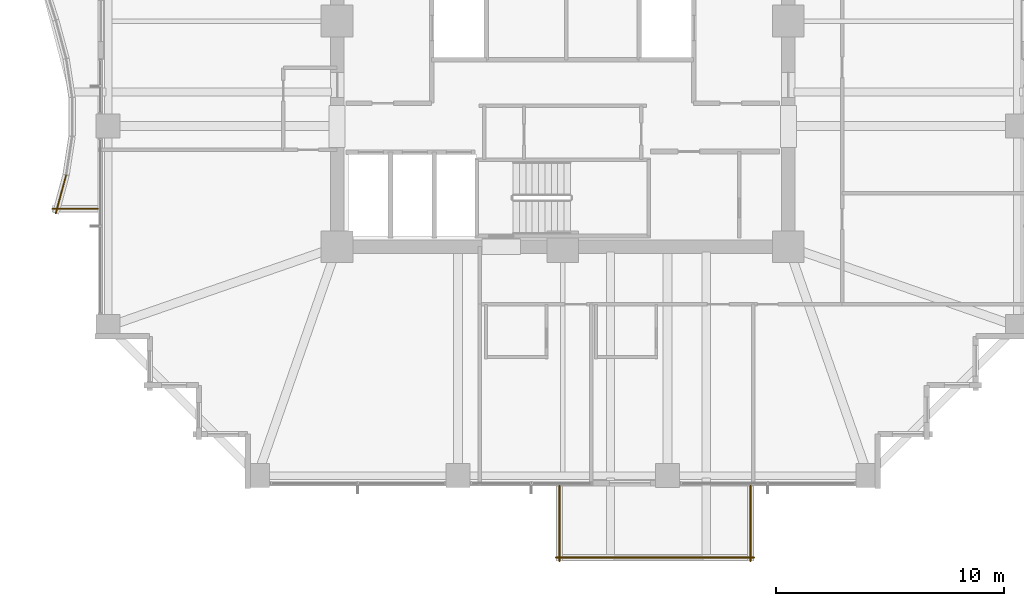
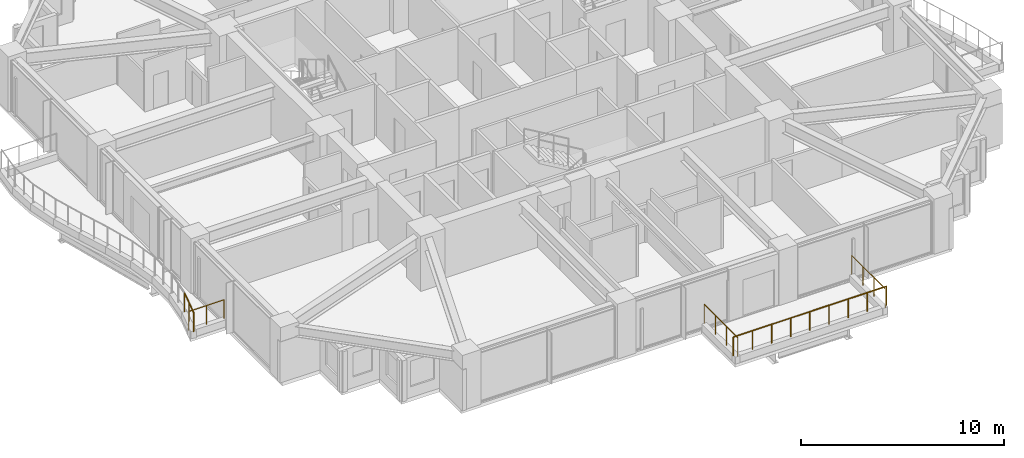
# One storey, part 36 of 38: 5 railings.
"""IFC4 building model written with IfcOpenShell, lengths in metres."""

from ifc_helpers import new_model, si_unit, direction, frame, origin, origin_2d, place, context, subcontext, project, spatial, circle, extrude, material, type_object, element, save


model = new_model("IFC4")

# Units and contexts
model_context = context("Model", 3, precision=1e-05, world=origin(), true_north=direction((0.0, 1.0)))
body_context = subcontext(model_context, "Body", "Model", "MODEL_VIEW")
ifc_project = project(units=[si_unit("LENGTHUNIT", "METRE"), si_unit("AREAUNIT", "SQUARE_METRE"), si_unit("VOLUMEUNIT", "CUBIC_METRE"), si_unit("PLANEANGLEUNIT", "RADIAN"), si_unit("MASSUNIT", "GRAM", prefix="KILO")], contexts=[model_context])

# Site, building, storey
site_placement = place(None, origin())
site = spatial("IfcSite", under=ifc_project, at=site_placement, CompositionType="ELEMENT")
building_placement = place(site_placement, origin())
building = spatial("IfcBuilding", under=site, at=building_placement, Name="Kolvaren Belvedere", CompositionType="ELEMENT")
storey_placement = place(building_placement, frame((0.0, 0.0, 101.89990234375)))
storey = spatial("IfcBuildingStorey", under=building, at=storey_placement, Name="L29", CompositionType="ELEMENT", Elevation=101.89990234375)

# Railings
ifc_material = material(Name="Anodised pale-metal aluminium & laminated glass guard", Category="aluminium")
railing_type = type_object("IfcRailingType", Name="RL-GUARD-1150", PredefinedType="GUARDRAIL", material=ifc_material)
railing_1_placement = place(storey_placement, frame((-0.300048828125, -23.5400390625, 0.380126953125)))
element("IfcRailing", 1, at=railing_1_placement, inside=storey, type_object=railing_type, Name="L29 Exterior Deck Safety Guard SPIRAL-04-S-1", PredefinedType="GUARDRAIL", context=body_context, shape_type="SweptSolid", body=[
    extrude(circle(Radius=0.02392578125, at=origin_2d()), frame((0.0, 0.0, 1.1259765625), z_axis=(1.0, 0.0, 0.0), x_axis=(0.0, 1.0, 0.0)), (0.0, 0.0, 1.0), 8.699951171875),
    extrude(circle(Radius=0.02099609375, at=origin_2d()), origin(), (0.0, 0.0, 1.0), 1.101806640625),
    extrude(circle(Radius=0.02099609375, at=origin_2d()), frame((1.08740234375, 0.0, 0.0)), (0.0, 0.0, 1.0), 1.101806640625),
    extrude(circle(Radius=0.02099609375, at=origin_2d()), frame((2.175048828125, 0.0, 0.0)), (0.0, 0.0, 1.0), 1.101806640625),
    extrude(circle(Radius=0.02099609375, at=origin_2d()), frame((3.262451171875, 0.0, 0.0)), (0.0, 0.0, 1.0), 1.101806640625),
    extrude(circle(Radius=0.02099609375, at=origin_2d()), frame((4.35009765625, 0.0, 0.0)), (0.0, 0.0, 1.0), 1.101806640625),
    extrude(circle(Radius=0.02099609375, at=origin_2d()), frame((5.4375, 0.0, 0.0)), (0.0, 0.0, 1.0), 1.101806640625),
    extrude(circle(Radius=0.02099609375, at=origin_2d()), frame((6.52490234375, 0.0, 0.0)), (0.0, 0.0, 1.0), 1.101806640625),
    extrude(circle(Radius=0.02099609375, at=origin_2d()), frame((7.612548828125, 0.0, 0.0)), (0.0, 0.0, 1.0), 1.101806640625),
    extrude(circle(Radius=0.02099609375, at=origin_2d()), frame((8.699951171875, 0.0, 0.0)), (0.0, 0.0, 1.0), 1.101806640625),
])
railing_2_placement = place(storey_placement, frame((8.239990234375, -23.699951171875, 0.380126953125)))
element("IfcRailing", 2, at=railing_2_placement, inside=storey, type_object=railing_type, Name="L29 Exterior Deck Safety Guard SPIRAL-04-S-2", PredefinedType="GUARDRAIL", context=body_context, shape_type="SweptSolid", body=[
    extrude(circle(Radius=0.02392578125, at=origin_2d()), frame((0.0, 0.0, 1.1259765625), z_axis=(0.0, 1.0, 0.0), x_axis=(-1.0, 0.0, 0.0)), (0.0, 0.0, 1.0), 3.300048828125),
    extrude(circle(Radius=0.02099609375, at=origin_2d()), origin(), (0.0, 0.0, 1.0), 1.101806640625),
    extrude(circle(Radius=0.02099609375, at=origin_2d()), frame((0.0, 1.10009765625, 0.0)), (0.0, 0.0, 1.0), 1.101806640625),
    extrude(circle(Radius=0.02099609375, at=origin_2d()), frame((0.0, 2.199951171875, 0.0)), (0.0, 0.0, 1.0), 1.101806640625),
    extrude(circle(Radius=0.02099609375, at=origin_2d()), frame((0.0, 3.300048828125, 0.0)), (0.0, 0.0, 1.0), 1.101806640625),
])
railing_3_placement = place(storey_placement, frame((-0.139892578125, -20.39990234375, 0.380126953125)))
element("IfcRailing", 3, at=railing_3_placement, inside=storey, type_object=railing_type, Name="L29 Exterior Deck Safety Guard SPIRAL-04-S-4", PredefinedType="GUARDRAIL", context=body_context, shape_type="SweptSolid", body=[
    extrude(circle(Radius=0.02392578125, at=origin_2d()), frame((0.0, 0.0, 1.1259765625), z_axis=(0.0, -1.0, 0.0), x_axis=(1.0, 0.0, 0.0)), (0.0, 0.0, 1.0), 3.300048828125),
    extrude(circle(Radius=0.02099609375, at=origin_2d()), origin(), (0.0, 0.0, 1.0), 1.101806640625),
    extrude(circle(Radius=0.02099609375, at=origin_2d()), frame((0.0, -1.10009765625, 0.0)), (0.0, 0.0, 1.0), 1.101806640625),
    extrude(circle(Radius=0.02099609375, at=origin_2d()), frame((0.0, -2.199951171875, 0.0)), (0.0, 0.0, 1.0), 1.101806640625),
    extrude(circle(Radius=0.02099609375, at=origin_2d()), frame((0.0, -3.300048828125, 0.0)), (0.0, 0.0, 1.0), 1.101806640625),
])
railing_4_placement = place(storey_placement, frame((-21.798095703125, -6.76171875, 0.380126953125)))
element("IfcRailing", 4, at=railing_4_placement, inside=storey, type_object=railing_type, Name="L29 Exterior Deck Safety Guard BAL-W-10", PredefinedType="GUARDRAIL", context=body_context, shape_type="SweptSolid", body=[
    extrude(circle(Radius=0.02392578125, at=origin_2d()), frame((0.0, 0.0, 1.1259765625), z_axis=(-0.260682852326, -0.965424492388, 0.0), x_axis=(0.965424492388, -0.260682852326, 0.0)), (0.0, 0.0, 1.0), 1.739990234375),
    extrude(circle(Radius=0.02099609375, at=origin_2d()), origin(), (0.0, 0.0, 1.0), 1.101806640625),
    extrude(circle(Radius=0.02099609375, at=origin_2d()), frame((-0.226806640625, -0.83984375, 0.0)), (0.0, 0.0, 1.0), 1.101806640625),
    extrude(circle(Radius=0.02099609375, at=origin_2d()), frame((-0.45361328125, -1.679931640625, 0.0)), (0.0, 0.0, 1.0), 1.101806640625),
])
railing_5_placement = place(storey_placement, frame((-22.40625, -8.239990234375, 0.380126953125)))
element("IfcRailing", 5, at=railing_5_placement, inside=storey, type_object=railing_type, Name="L29 Exterior Deck Safety Guard BAL-W-11", PredefinedType="GUARDRAIL", context=body_context, shape_type="SweptSolid", body=[
    extrude(circle(Radius=0.02392578125, at=origin_2d()), frame((0.0, 0.0, 1.1259765625), z_axis=(1.0, 0.0, 0.0), x_axis=(0.0, 1.0, 0.0)), (0.0, 0.0, 1.0), 2.00634765625),
    extrude(circle(Radius=0.02099609375, at=origin_2d()), origin(), (0.0, 0.0, 1.0), 1.101806640625),
    extrude(circle(Radius=0.02099609375, at=origin_2d()), frame((1.003173828125, 0.0, 0.0)), (0.0, 0.0, 1.0), 1.101806640625),
    extrude(circle(Radius=0.02099609375, at=origin_2d()), frame((2.00634765625, 0.0, 0.0)), (0.0, 0.0, 1.0), 1.101806640625),
])

save(model, "model.ifc")
